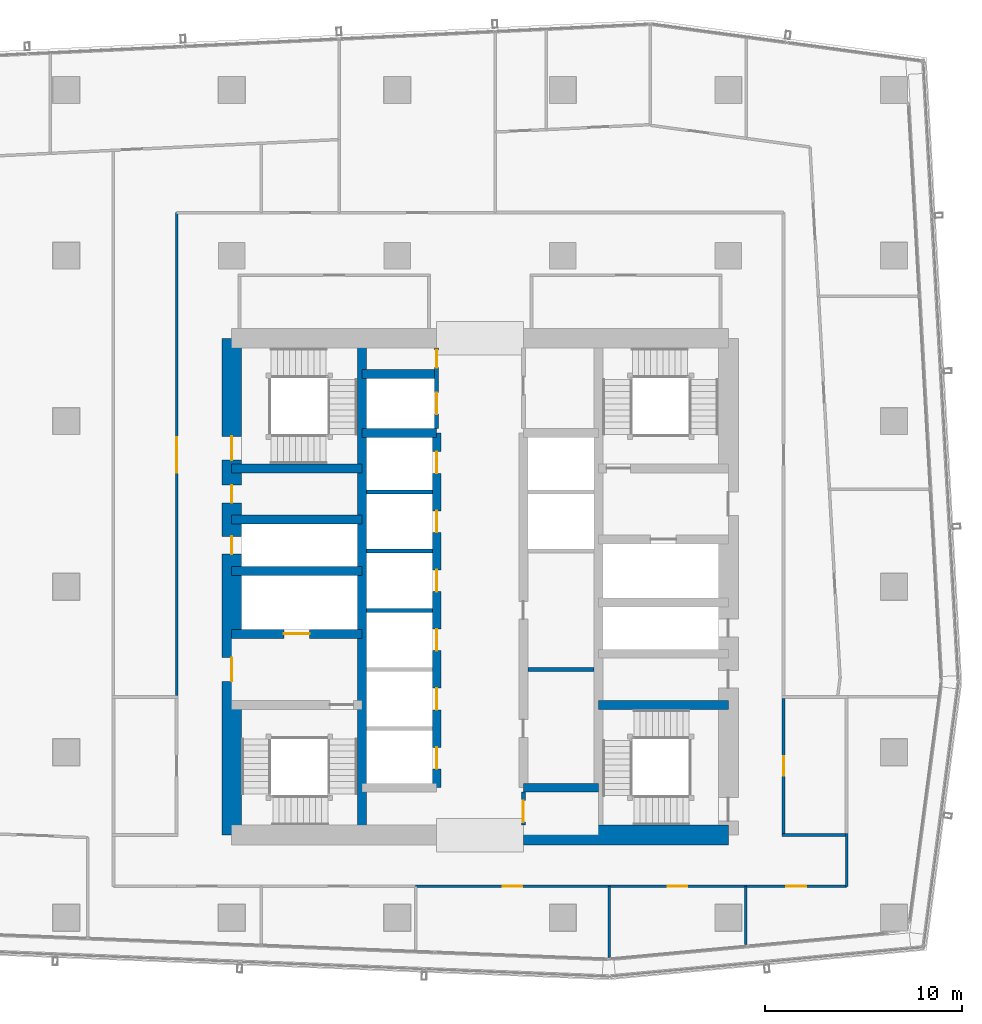
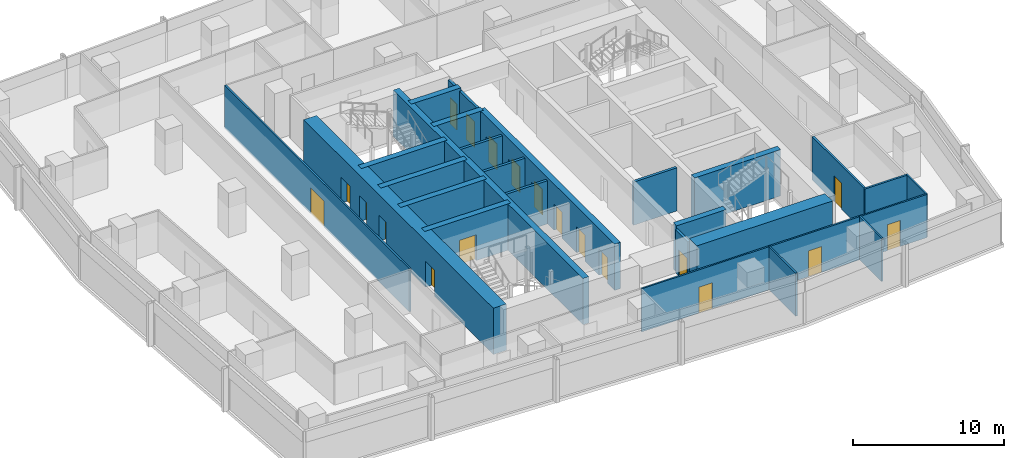
# One storey, part 28 of 38: 27 walls, 19 doors, 19 openings.
"""IFC4 building model written with IfcOpenShell, lengths in metres."""

from ifc_helpers import new_model, si_unit, direction, frame, frame_2d, origin, place, context, subcontext, project, spatial, rectangle, extrude, material, layer, layer_set, type_object, element, fill, save


model = new_model("IFC4")

# Units and contexts
model_context = context("Model", 3, precision=1e-05, world=origin(), true_north=direction((0.0, 1.0)))
body_context = subcontext(model_context, "Body", "Model", "MODEL_VIEW")
ifc_project = project(units=[si_unit("LENGTHUNIT", "METRE"), si_unit("AREAUNIT", "SQUARE_METRE"), si_unit("VOLUMEUNIT", "CUBIC_METRE"), si_unit("PLANEANGLEUNIT", "RADIAN"), si_unit("MASSUNIT", "GRAM", prefix="KILO")], contexts=[model_context])

# Site, building, storey
site_placement = place(None, origin())
site = spatial("IfcSite", under=ifc_project, at=site_placement, CompositionType="ELEMENT")
building_placement = place(site_placement, origin())
building = spatial("IfcBuilding", under=site, at=building_placement, Name="Rekha Terrace Tower", CompositionType="ELEMENT")
storey_placement = place(building_placement, frame((0.0, 0.0, 195.199951171875)))
storey = spatial("IfcBuildingStorey", under=building, at=storey_placement, Name="L49", CompositionType="ELEMENT", Elevation=195.199951171875)

# Wall
ifc_material_1 = material(Name="Concrete M60", Category="concrete")
ifc_layer_1 = layer(ifc_material_1, 0.449951171875)
ifc_layer_set_1 = layer_set([ifc_layer_1], Name="Concrete M60")
wall_type_1 = type_object("IfcWallType", Name="CI3 450 core internal shear wall", PredefinedType="SHEAR", material=ifc_layer_set_1)
wall_1_placement = place(storey_placement, frame((31.800048828125, 21.0, 0.0), z_axis=(0.0, 0.0, 1.0), x_axis=(0.0, 1.0, 0.0)))
element("IfcWall", 1, at=wall_1_placement, inside=storey, type_object=wall_type_1, Name="Core wall X318 L49", PredefinedType="SHEAR", context=body_context, shape_type="SweptSolid", body=[
    extrude(rectangle(XDim=25.199951171875, YDim=0.449951171875, at=frame_2d((12.60009765625, 0.0))), origin(), (0.0, 0.0, 1.0), 3.75),
])

# Wall, openings, doors
wall_2_placement = place(storey_placement, frame((35.60009765625, 23.39990234375, 0.0), z_axis=(0.0, 0.0, 1.0), x_axis=(0.0, 1.0, 0.0)))
wall_2 = element("IfcWall", 2, at=wall_2_placement, inside=storey, type_object=wall_type_1, Name="Core wall X356 L49", PredefinedType="SHEAR", context=body_context, shape_type="SweptSolid", body=[
    extrude(rectangle(XDim=18.0, YDim=0.449951171875, at=frame_2d((9.0, 0.0))), origin(), (0.0, 0.0, 1.0), 3.75),
])
opening_1_placement = place(wall_2_placement, frame((0.949951171875, 0.0, 0.0)))
opening_1 = element("IfcOpeningElement", 3, at=opening_1_placement, cuts=wall_2, Name="Opening LD1", PredefinedType="OPENING", context=body_context, shape_type="SweptSolid", body=[
    extrude(rectangle(XDim=1.10009765625, YDim=2.10009765625, at=frame_2d((0.550048828125, 1.050048828125))), frame((0.0, 0.23486328125, 0.0), z_axis=(0.0, -1.0, 0.0), x_axis=(1.0, 0.0, 0.0)), (0.0, 0.0, 1.0), 0.469970703125),
])
opening_2_placement = place(wall_2_placement, frame((3.949951171875, 0.0, 0.0)))
opening_2 = element("IfcOpeningElement", 4, at=opening_2_placement, cuts=wall_2, Name="Opening LD1", PredefinedType="OPENING", context=body_context, shape_type="SweptSolid", body=[
    extrude(rectangle(XDim=1.10009765625, YDim=2.10009765625, at=frame_2d((0.550048828125, 1.050048828125))), frame((0.0, 0.23486328125, 0.0), z_axis=(0.0, -1.0, 0.0), x_axis=(1.0, 0.0, 0.0)), (0.0, 0.0, 1.0), 0.469970703125),
])
opening_3_placement = place(wall_2_placement, frame((6.949951171875, 0.0, 0.0)))
opening_3 = element("IfcOpeningElement", 5, at=opening_3_placement, cuts=wall_2, Name="Opening LD1", PredefinedType="OPENING", context=body_context, shape_type="SweptSolid", body=[
    extrude(rectangle(XDim=1.10009765625, YDim=2.10009765625, at=frame_2d((0.550048828125, 1.050048828125))), frame((0.0, 0.23486328125, 0.0), z_axis=(0.0, -1.0, 0.0), x_axis=(1.0, 0.0, 0.0)), (0.0, 0.0, 1.0), 0.469970703125),
])
opening_4_placement = place(wall_2_placement, frame((9.949951171875, 0.0, 0.0)))
opening_4 = element("IfcOpeningElement", 6, at=opening_4_placement, cuts=wall_2, Name="Opening LD1", PredefinedType="OPENING", context=body_context, shape_type="SweptSolid", body=[
    extrude(rectangle(XDim=1.10009765625, YDim=2.10009765625, at=frame_2d((0.550048828125, 1.050048828125))), frame((0.0, 0.23486328125, 0.0), z_axis=(0.0, -1.0, 0.0), x_axis=(1.0, 0.0, 0.0)), (0.0, 0.0, 1.0), 0.469970703125),
])
opening_5_placement = place(wall_2_placement, frame((12.949951171875, 0.0, 0.0)))
opening_5 = element("IfcOpeningElement", 7, at=opening_5_placement, cuts=wall_2, Name="Opening LD1", PredefinedType="OPENING", context=body_context, shape_type="SweptSolid", body=[
    extrude(rectangle(XDim=1.10009765625, YDim=2.10009765625, at=frame_2d((0.550048828125, 1.050048828125))), frame((0.0, 0.23486328125, 0.0), z_axis=(0.0, -1.0, 0.0), x_axis=(1.0, 0.0, 0.0)), (0.0, 0.0, 1.0), 0.469970703125),
])
opening_6_placement = place(wall_2_placement, frame((15.949951171875, 0.0, 0.0)))
opening_6 = element("IfcOpeningElement", 8, at=opening_6_placement, cuts=wall_2, Name="Opening LD1", PredefinedType="OPENING", context=body_context, shape_type="SweptSolid", body=[
    extrude(rectangle(XDim=1.10009765625, YDim=2.10009765625, at=frame_2d((0.550048828125, 1.050048828125))), frame((0.0, 0.23486328125, 0.0), z_axis=(0.0, -1.0, 0.0), x_axis=(1.0, 0.0, 0.0)), (0.0, 0.0, 1.0), 0.469970703125),
])
ifc_material_2 = material(Name="Stainless steel sliding landing door", Category="steel")
door_type_1 = type_object("IfcDoorType", Name="LD1 1100x2100 lift landing door", OperationType="SLIDING_TO_LEFT", PredefinedType="USERDEFINED", material=ifc_material_2)
door_1_placement = place(opening_1_placement, origin())
door_1 = element("IfcDoor", 9, at=door_1_placement, inside=storey, type_object=door_type_1, Name="Lift C1 landing door L49", ObjectType="LIFT LANDING DOOR", OperationType="SLIDING_TO_LEFT", OverallHeight=2.10009765625, OverallWidth=1.10009765625, PredefinedType="USERDEFINED", context=body_context, shape_type="SweptSolid", body=[
    extrude(rectangle(XDim=1.10009765625, YDim=2.10009765625, at=frame_2d((0.550048828125, 1.050048828125))), frame((0.0, 0.02490234375, 0.0), z_axis=(0.0, -1.0, 0.0), x_axis=(1.0, 0.0, 0.0)), (0.0, 0.0, 1.0), 0.050048828125),
])
fill(opening_1, door_1)
door_2_placement = place(opening_2_placement, origin())
door_2 = element("IfcDoor", 10, at=door_2_placement, inside=storey, type_object=door_type_1, Name="Lift C2 landing door L49", ObjectType="LIFT LANDING DOOR", OperationType="SLIDING_TO_LEFT", OverallHeight=2.10009765625, OverallWidth=1.10009765625, PredefinedType="USERDEFINED", context=body_context, shape_type="SweptSolid", body=[
    extrude(rectangle(XDim=1.10009765625, YDim=2.10009765625, at=frame_2d((0.550048828125, 1.050048828125))), frame((0.0, 0.02490234375, 0.0), z_axis=(0.0, -1.0, 0.0), x_axis=(1.0, 0.0, 0.0)), (0.0, 0.0, 1.0), 0.050048828125),
])
fill(opening_2, door_2)
door_3_placement = place(opening_3_placement, origin())
door_3 = element("IfcDoor", 11, at=door_3_placement, inside=storey, type_object=door_type_1, Name="Lift C3 landing door L49", ObjectType="LIFT LANDING DOOR", OperationType="SLIDING_TO_LEFT", OverallHeight=2.10009765625, OverallWidth=1.10009765625, PredefinedType="USERDEFINED", context=body_context, shape_type="SweptSolid", body=[
    extrude(rectangle(XDim=1.10009765625, YDim=2.10009765625, at=frame_2d((0.550048828125, 1.050048828125))), frame((0.0, 0.02490234375, 0.0), z_axis=(0.0, -1.0, 0.0), x_axis=(1.0, 0.0, 0.0)), (0.0, 0.0, 1.0), 0.050048828125),
])
fill(opening_3, door_3)
door_4_placement = place(opening_4_placement, origin())
door_4 = element("IfcDoor", 12, at=door_4_placement, inside=storey, type_object=door_type_1, Name="Lift C4 landing door L49", ObjectType="LIFT LANDING DOOR", OperationType="SLIDING_TO_LEFT", OverallHeight=2.10009765625, OverallWidth=1.10009765625, PredefinedType="USERDEFINED", context=body_context, shape_type="SweptSolid", body=[
    extrude(rectangle(XDim=1.10009765625, YDim=2.10009765625, at=frame_2d((0.550048828125, 1.050048828125))), frame((0.0, 0.02490234375, 0.0), z_axis=(0.0, -1.0, 0.0), x_axis=(1.0, 0.0, 0.0)), (0.0, 0.0, 1.0), 0.050048828125),
])
fill(opening_4, door_4)
door_5_placement = place(opening_5_placement, origin())
door_5 = element("IfcDoor", 13, at=door_5_placement, inside=storey, type_object=door_type_1, Name="Lift C5 landing door L49", ObjectType="LIFT LANDING DOOR", OperationType="SLIDING_TO_LEFT", OverallHeight=2.10009765625, OverallWidth=1.10009765625, PredefinedType="USERDEFINED", context=body_context, shape_type="SweptSolid", body=[
    extrude(rectangle(XDim=1.10009765625, YDim=2.10009765625, at=frame_2d((0.550048828125, 1.050048828125))), frame((0.0, 0.02490234375, 0.0), z_axis=(0.0, -1.0, 0.0), x_axis=(1.0, 0.0, 0.0)), (0.0, 0.0, 1.0), 0.050048828125),
])
fill(opening_5, door_5)
door_6_placement = place(opening_6_placement, origin())
door_6 = element("IfcDoor", 14, at=door_6_placement, inside=storey, type_object=door_type_1, Name="Lift C6 landing door L49", ObjectType="LIFT LANDING DOOR", OperationType="SLIDING_TO_LEFT", OverallHeight=2.10009765625, OverallWidth=1.10009765625, PredefinedType="USERDEFINED", context=body_context, shape_type="SweptSolid", body=[
    extrude(rectangle(XDim=1.10009765625, YDim=2.10009765625, at=frame_2d((0.550048828125, 1.050048828125))), frame((0.0, 0.02490234375, 0.0), z_axis=(0.0, -1.0, 0.0), x_axis=(1.0, 0.0, 0.0)), (0.0, 0.0, 1.0), 0.050048828125),
])
fill(opening_6, door_6)

# Walls
for number, where, z_axis, x_axis, name in (
    (15, (31.800048828125, 41.39990234375, 0.0), (0.0, 0.0, 1.0), (1.0, 0.0, 0.0), "Core wall Y414W L49"),
    (16, (31.800048828125, 44.39990234375, 0.0), (0.0, 0.0, 1.0), (1.0, 0.0, 0.0), "Core wall Y444W L49"),
    (17, (40.0, 23.39990234375, 0.0), (0.0, 0.0, 1.0), (1.0, 0.0, 0.0), "Core wall Y234E L49"),
):
    element("IfcWall", number, at=place(storey_placement, frame(where, z_axis=z_axis, x_axis=x_axis)), inside=storey, type_object=wall_type_1, Name=name, PredefinedType="SHEAR", context=body_context, shape_type="SweptSolid", body=[
        extrude(rectangle(XDim=3.800048828125, YDim=0.449951171875, at=frame_2d((1.89990234375, 0.0))), origin(), (0.0, 0.0, 1.0), 3.75),
    ])

# Wall, opening, door
wall_3_placement = place(storey_placement, frame((25.199951171875, 31.199951171875, 0.0), z_axis=(0.0, 0.0, 1.0), x_axis=(1.0, 0.0, 0.0)))
wall_3 = element("IfcWall", 18, at=wall_3_placement, inside=storey, type_object=wall_type_1, Name="Core wall Y312W L49", PredefinedType="SHEAR", context=body_context, shape_type="SweptSolid", body=[
    extrude(rectangle(XDim=6.60009765625, YDim=0.449951171875, at=frame_2d((3.300048828125, 0.0))), origin(), (0.0, 0.0, 1.0), 3.75),
])
opening_7_placement = place(wall_3_placement, frame((2.64990234375, 0.0, 0.0)))
opening_7 = element("IfcOpeningElement", 19, at=opening_7_placement, cuts=wall_3, Name="Opening LD2", PredefinedType="OPENING", context=body_context, shape_type="SweptSolid", body=[
    extrude(rectangle(XDim=1.300048828125, YDim=2.10009765625, at=frame_2d((0.64990234375, 1.050048828125))), frame((0.0, 0.23486328125, 0.0), z_axis=(0.0, -1.0, 0.0), x_axis=(1.0, 0.0, 0.0)), (0.0, 0.0, 1.0), 0.469970703125),
])
door_type_2 = type_object("IfcDoorType", Name="LD2 1300x2100 fire lift landing door", OperationType="SLIDING_TO_LEFT", PredefinedType="USERDEFINED", material=ifc_material_2)
door_7_placement = place(opening_7_placement, origin())
door_7 = element("IfcDoor", 20, at=door_7_placement, inside=storey, type_object=door_type_2, Name="Lift FL1 landing door L49", ObjectType="LIFT LANDING DOOR", OperationType="SLIDING_TO_LEFT", OverallHeight=2.10009765625, OverallWidth=1.300048828125, PredefinedType="USERDEFINED", context=body_context, shape_type="SweptSolid", body=[
    extrude(rectangle(XDim=1.300048828125, YDim=2.10009765625, at=frame_2d((0.64990234375, 1.050048828125))), frame((0.0, 0.02490234375, 0.0), z_axis=(0.0, -1.0, 0.0), x_axis=(1.0, 0.0, 0.0)), (0.0, 0.0, 1.0), 0.050048828125),
])
fill(opening_7, door_7)

# Walls
for number, where, z_axis, x_axis, name in (
    (21, (25.199951171875, 34.39990234375, 0.0), (0.0, 0.0, 1.0), (1.0, 0.0, 0.0), "Core wall Y344W L49"),
    (22, (25.199951171875, 37.0, 0.0), (0.0, 0.0, 1.0), (1.0, 0.0, 0.0), "Core wall Y370W L49"),
    (23, (25.199951171875, 39.60009765625, 0.0), (0.0, 0.0, 1.0), (1.0, 0.0, 0.0), "Core wall Y396W L49"),
):
    element("IfcWall", number, at=place(storey_placement, frame(where, z_axis=z_axis, x_axis=x_axis)), inside=storey, type_object=wall_type_1, Name=name, PredefinedType="SHEAR", context=body_context, shape_type="SweptSolid", body=[
        extrude(rectangle(XDim=6.60009765625, YDim=0.449951171875, at=frame_2d((3.300048828125, 0.0))), origin(), (0.0, 0.0, 1.0), 3.75),
    ])
wall_4_placement = place(storey_placement, frame((43.800048828125, 27.60009765625, 0.0), z_axis=(0.0, 0.0, 1.0), x_axis=(1.0, 0.0, 0.0)))
element("IfcWall", 24, at=wall_4_placement, inside=storey, type_object=wall_type_1, Name="Core wall Y276E L49", PredefinedType="SHEAR", context=body_context, shape_type="SweptSolid", body=[
    extrude(rectangle(XDim=6.599853515625, YDim=0.449951171875, at=frame_2d((3.2998046875, 0.0))), origin(), (0.0, 0.0, 1.0), 3.75),
])
ifc_layer_2 = layer(ifc_material_1, 1.0)
ifc_layer_set_2 = layer_set([ifc_layer_2], Name="Concrete M60")
wall_type_2 = type_object("IfcWallType", Name="SW3 1000 core outer shear wall", PredefinedType="SHEAR", material=ifc_layer_set_2)
wall_5_placement = place(storey_placement, frame((40.0, 21.0, 0.0), z_axis=(0.0, 0.0, 1.0), x_axis=(1.0, 0.0, 0.0)))
element("IfcWall", 25, at=wall_5_placement, inside=storey, type_object=wall_type_2, Name="Core wall S2 L49", PredefinedType="SHEAR", context=body_context, shape_type="SweptSolid", body=[
    extrude(rectangle(XDim=10.39990234375, YDim=1.0, at=frame_2d((5.199951171875, 0.0))), origin(), (0.0, 0.0, 1.0), 3.75),
])

# Wall, openings, doors
wall_6_placement = place(storey_placement, frame((25.199951171875, 21.0, 0.0), z_axis=(0.0, 0.0, 1.0), x_axis=(0.0, 1.0, 0.0)))
wall_6 = element("IfcWall", 26, at=wall_6_placement, inside=storey, type_object=wall_type_2, Name="Core wall W L49", PredefinedType="SHEAR", context=body_context, shape_type="SweptSolid", body=[
    extrude(rectangle(XDim=25.199951171875, YDim=1.0, at=frame_2d((12.60009765625, 0.0))), origin(), (0.0, 0.0, 1.0), 3.75),
])
opening_8_placement = place(wall_6_placement, frame((7.800048828125, 0.0, 0.0)))
opening_8 = element("IfcOpeningElement", 27, at=opening_8_placement, cuts=wall_6, Name="Opening D2", PredefinedType="OPENING", context=body_context, shape_type="SweptSolid", body=[
    extrude(rectangle(XDim=1.199951171875, YDim=2.10009765625, at=frame_2d((0.60009765625, 1.050048828125))), frame((0.0, 0.510009765625, 0.0), z_axis=(0.0, -1.0, 0.0), x_axis=(1.0, 0.0, 0.0)), (0.0, 0.0, 1.0), 1.02001953125),
])
opening_9_placement = place(wall_6_placement, frame((14.25, 0.0, 0.0)))
opening_9 = element("IfcOpeningElement", 28, at=opening_9_placement, cuts=wall_6, Name="Opening D5", PredefinedType="OPENING", context=body_context, shape_type="SweptSolid", body=[
    extrude(rectangle(XDim=0.89990234375, YDim=2.10009765625, at=frame_2d((0.449951171875, 1.050048828125))), frame((0.0, 0.510009765625, 0.0), z_axis=(0.0, -1.0, 0.0), x_axis=(1.0, 0.0, 0.0)), (0.0, 0.0, 1.0), 1.02001953125),
])
opening_10_placement = place(wall_6_placement, frame((16.85009765625, 0.0, 0.0)))
opening_10 = element("IfcOpeningElement", 29, at=opening_10_placement, cuts=wall_6, Name="Opening D5", PredefinedType="OPENING", context=body_context, shape_type="SweptSolid", body=[
    extrude(rectangle(XDim=0.89990234375, YDim=2.10009765625, at=frame_2d((0.449951171875, 1.050048828125))), frame((0.0, 0.510009765625, 0.0), z_axis=(0.0, -1.0, 0.0), x_axis=(1.0, 0.0, 0.0)), (0.0, 0.0, 1.0), 1.02001953125),
])
opening_11_placement = place(wall_6_placement, frame((19.02490234375, 0.0, 0.0)))
opening_11 = element("IfcOpeningElement", 30, at=opening_11_placement, cuts=wall_6, Name="Opening D1", PredefinedType="OPENING", context=body_context, shape_type="SweptSolid", body=[
    extrude(rectangle(XDim=1.199951171875, YDim=2.10009765625, at=frame_2d((0.60009765625, 1.050048828125))), frame((0.0, 0.510009765625, 0.0), z_axis=(0.0, -1.0, 0.0), x_axis=(1.0, 0.0, 0.0)), (0.0, 0.0, 1.0), 1.02001953125),
])
ifc_material_3 = material(Name="Steel fire door", Category="steel")
door_type_3 = type_object("IfcDoorType", Name="D1 1200x2100 stair fire door", OperationType="SINGLE_SWING_RIGHT", PredefinedType="DOOR", material=ifc_material_3)
door_8_placement = place(opening_11_placement, origin())
door_8 = element("IfcDoor", 31, at=door_8_placement, inside=storey, type_object=door_type_3, Name="Stair ST4 door L49", OperationType="SINGLE_SWING_RIGHT", OverallHeight=2.10009765625, OverallWidth=1.199951171875, PredefinedType="DOOR", context=body_context, shape_type="SweptSolid", body=[
    extrude(rectangle(XDim=1.199951171875, YDim=2.10009765625, at=frame_2d((0.60009765625, 1.050048828125))), frame((0.0, 0.02490234375, 0.0), z_axis=(0.0, -1.0, 0.0), x_axis=(1.0, 0.0, 0.0)), (0.0, 0.0, 1.0), 0.050048828125),
])
fill(opening_11, door_8)
door_type_4 = type_object("IfcDoorType", Name="D2 1200x2100 firefighting lobby door", OperationType="SINGLE_SWING_LEFT", PredefinedType="DOOR", material=ifc_material_3)
door_9_placement = place(opening_8_placement, origin())
door_9 = element("IfcDoor", 32, at=door_9_placement, inside=storey, type_object=door_type_4, Name="Door flb1 L49", OperationType="SINGLE_SWING_LEFT", OverallHeight=2.10009765625, OverallWidth=1.199951171875, PredefinedType="DOOR", context=body_context, shape_type="SweptSolid", body=[
    extrude(rectangle(XDim=1.199951171875, YDim=2.10009765625, at=frame_2d((0.60009765625, 1.050048828125))), frame((0.0, 0.02490234375, 0.0), z_axis=(0.0, -1.0, 0.0), x_axis=(1.0, 0.0, 0.0)), (0.0, 0.0, 1.0), 0.050048828125),
])
fill(opening_8, door_9)
door_type_5 = type_object("IfcDoorType", Name="D5 900x2100 riser access door", OperationType="SINGLE_SWING_LEFT", PredefinedType="DOOR", material=ifc_material_3)
door_10_placement = place(opening_9_placement, origin())
door_10 = element("IfcDoor", 33, at=door_10_placement, inside=storey, type_object=door_type_5, Name="Door rs1 L49", OperationType="SINGLE_SWING_LEFT", OverallHeight=2.10009765625, OverallWidth=0.89990234375, PredefinedType="DOOR", context=body_context, shape_type="SweptSolid", body=[
    extrude(rectangle(XDim=0.89990234375, YDim=2.10009765625, at=frame_2d((0.449951171875, 1.050048828125))), frame((0.0, 0.02490234375, 0.0), z_axis=(0.0, -1.0, 0.0), x_axis=(1.0, 0.0, 0.0)), (0.0, 0.0, 1.0), 0.050048828125),
])
fill(opening_9, door_10)
door_11_placement = place(opening_10_placement, origin())
door_11 = element("IfcDoor", 34, at=door_11_placement, inside=storey, type_object=door_type_5, Name="Door elw L49", OperationType="SINGLE_SWING_LEFT", OverallHeight=2.10009765625, OverallWidth=0.89990234375, PredefinedType="DOOR", context=body_context, shape_type="SweptSolid", body=[
    extrude(rectangle(XDim=0.89990234375, YDim=2.10009765625, at=frame_2d((0.449951171875, 1.050048828125))), frame((0.0, 0.02490234375, 0.0), z_axis=(0.0, -1.0, 0.0), x_axis=(1.0, 0.0, 0.0)), (0.0, 0.0, 1.0), 0.050048828125),
])
fill(opening_10, door_11)

# Wall
ifc_material_4 = material(Name="Concrete block masonry, 1 hour", Category="masonry")
ifc_layer_3 = layer(ifc_material_4, 0.14990234375)
ifc_layer_set_3 = layer_set([ifc_layer_3], Name="Concrete block masonry, 1 hour")
wall_type_3 = type_object("IfcWallType", Name="WP2 150 tenancy partition", PredefinedType="PARTITIONING", material=ifc_layer_set_3)
wall_7_placement = place(storey_placement, frame((53.125, 21.0, 0.0), z_axis=(0.0, 0.0, 1.0), x_axis=(1.0, 0.0, 0.0)))
element("IfcWall", 35, at=wall_7_placement, inside=storey, type_object=wall_type_3, Name="Men's WC wall L49", PredefinedType="PARTITIONING", context=body_context, shape_type="SweptSolid", body=[
    extrude(rectangle(XDim=3.35009765625, YDim=0.14990234375, at=frame_2d((1.675048828125, 0.0))), origin(), (0.0, 0.0, 1.0), 3.5),
])

# Wall, opening, door
wall_8_placement = place(storey_placement, frame((53.199951171875, 21.074951171875, 0.0), z_axis=(0.0, 0.0, 1.0), x_axis=(0.0, 1.0, 0.0)))
wall_8 = element("IfcWall", 36, at=wall_8_placement, inside=storey, type_object=wall_type_3, Name="Men's WC wall L49", PredefinedType="PARTITIONING", context=body_context, shape_type="SweptSolid", body=[
    extrude(rectangle(XDim=6.85009765625, YDim=0.14990234375, at=frame_2d((3.425048828125, 0.0))), origin(), (0.0, 0.0, 1.0), 3.5),
])
opening_12_placement = place(wall_8_placement, frame((2.925048828125, 0.0, 0.0)))
opening_12 = element("IfcOpeningElement", 37, at=opening_12_placement, cuts=wall_8, Name="Opening D3", PredefinedType="OPENING", context=body_context, shape_type="SweptSolid", body=[
    extrude(rectangle(XDim=1.0, YDim=2.10009765625, at=frame_2d((0.5, 1.050048828125))), frame((0.0, 0.0849609375, 0.0), z_axis=(0.0, -1.0, 0.0), x_axis=(1.0, 0.0, 0.0)), (0.0, 0.0, 1.0), 0.169921875),
])
ifc_material_5 = material(Name="Laminated timber fire door", Category="wood")
door_type_6 = type_object("IfcDoorType", Name="D3 1000x2100 WC door", OperationType="SINGLE_SWING_LEFT", PredefinedType="DOOR", material=ifc_material_5)
door_12_placement = place(opening_12_placement, origin())
door_12 = element("IfcDoor", 38, at=door_12_placement, inside=storey, type_object=door_type_6, Name="Door men's wc L49", OperationType="SINGLE_SWING_LEFT", OverallHeight=2.10009765625, OverallWidth=1.0, PredefinedType="DOOR", context=body_context, shape_type="SweptSolid", body=[
    extrude(rectangle(XDim=1.0, YDim=2.10009765625, at=frame_2d((0.5, 1.050048828125))), frame((0.0, 0.02490234375, 0.0), z_axis=(0.0, -1.0, 0.0), x_axis=(1.0, 0.0, 0.0)), (0.0, 0.0, 1.0), 0.050048828125),
])
fill(opening_12, door_12)

ifc_material_6 = material(Name="Two layers of fire-rated gypsum board each side on steel studs, acoustic quilt, 1 hour", Category="steel")
ifc_layer_4 = layer(ifc_material_6, 0.125)
ifc_layer_set_4 = layer_set([ifc_layer_4], Name="Two layers of fire-rated gypsum board each side on steel studs, acoustic quilt, 1 hour")
wall_type_4 = type_object("IfcWallType", Name="WP3 125 office partition", PredefinedType="PARTITIONING", material=ifc_layer_set_4)
wall_9_placement = place(storey_placement, frame((34.531005859375, 18.39990234375, 0.0), z_axis=(0.0, 0.0, 1.0), x_axis=(1.0, 0.0, 0.0)))
wall_9 = element("IfcWall", 39, at=wall_9_placement, inside=storey, type_object=wall_type_4, Name="Partition L49-02", PredefinedType="PARTITIONING", context=body_context, shape_type="SweptSolid", body=[
    extrude(rectangle(XDim=9.81298828125, YDim=0.125, at=frame_2d((4.906494140625, 0.0))), origin(), (0.0, 0.0, 1.0), 3.5),
])
opening_13_placement = place(wall_9_placement, frame((4.406982421875, 0.0, 0.0)))
opening_13 = element("IfcOpeningElement", 40, at=opening_13_placement, cuts=wall_9, Name="Opening D9", PredefinedType="OPENING", context=body_context, shape_type="SweptSolid", body=[
    extrude(rectangle(XDim=1.0, YDim=2.10009765625, at=frame_2d((0.5, 1.050048828125))), frame((0.0, 0.072509765625, 0.0), z_axis=(0.0, -1.0, 0.0), x_axis=(1.0, 0.0, 0.0)), (0.0, 0.0, 1.0), 0.14501953125),
])
ifc_material_7 = material(Name="Timber fire door", Category="wood")
door_type_7 = type_object("IfcDoorType", Name="D9 1000x2100 office door", OperationType="SINGLE_SWING_LEFT", PredefinedType="DOOR", material=ifc_material_7)
door_13_placement = place(opening_13_placement, origin())
door_13 = element("IfcDoor", 41, at=door_13_placement, inside=storey, type_object=door_type_7, Name="Door breakout lounge L49", OperationType="SINGLE_SWING_LEFT", OverallHeight=2.10009765625, OverallWidth=1.0, PredefinedType="DOOR", context=body_context, shape_type="SweptSolid", body=[
    extrude(rectangle(XDim=1.0, YDim=2.10009765625, at=frame_2d((0.5, 1.050048828125))), frame((0.0, 0.02490234375, 0.0), z_axis=(0.0, -1.0, 0.0), x_axis=(1.0, 0.0, 0.0)), (0.0, 0.0, 1.0), 0.050048828125),
])
fill(opening_13, door_13)

# Wall
wall_10_placement = place(storey_placement, frame((44.343994140625, 18.39990234375, 0.0), z_axis=(0.0, 0.0, 1.0), x_axis=(0.0, -1.0, 0.0)))
element("IfcWall", 42, at=wall_10_placement, inside=storey, type_object=wall_type_4, Name="Partition L49-02", PredefinedType="PARTITIONING", context=body_context, shape_type="SweptSolid", body=[
    extrude(rectangle(XDim=3.60498046875, YDim=0.125, at=frame_2d((1.802490234375, 0.0))), origin(), (0.0, 0.0, 1.0), 3.5),
])

# Wall, opening, door
wall_11_placement = place(storey_placement, frame((44.344970703125, 18.39990234375, 0.0), z_axis=(0.0, 0.0, 1.0), x_axis=(1.0, 0.0, 0.0)))
wall_11 = element("IfcWall", 43, at=wall_11_placement, inside=storey, type_object=wall_type_4, Name="Partition L49-03", PredefinedType="PARTITIONING", context=body_context, shape_type="SweptSolid", body=[
    extrude(rectangle(XDim=6.945068359375, YDim=0.125, at=frame_2d((3.47265625, 0.0))), origin(), (0.0, 0.0, 1.0), 3.5),
])
opening_14_placement = place(wall_11_placement, frame((2.971923828125, 0.0, 0.0)))
opening_14 = element("IfcOpeningElement", 44, at=opening_14_placement, cuts=wall_11, Name="Opening D9", PredefinedType="OPENING", context=body_context, shape_type="SweptSolid", body=[
    extrude(rectangle(XDim=1.0, YDim=2.10009765625, at=frame_2d((0.5, 1.050048828125))), frame((0.0, 0.072509765625, 0.0), z_axis=(0.0, -1.0, 0.0), x_axis=(1.0, 0.0, 0.0)), (0.0, 0.0, 1.0), 0.14501953125),
])
door_14_placement = place(opening_14_placement, origin())
door_14 = element("IfcDoor", 45, at=door_14_placement, inside=storey, type_object=door_type_7, Name="Door meeting room L49", OperationType="SINGLE_SWING_LEFT", OverallHeight=2.10009765625, OverallWidth=1.0, PredefinedType="DOOR", context=body_context, shape_type="SweptSolid", body=[
    extrude(rectangle(XDim=1.0, YDim=2.10009765625, at=frame_2d((0.5, 1.050048828125))), frame((0.0, 0.02490234375, 0.0), z_axis=(0.0, -1.0, 0.0), x_axis=(1.0, 0.0, 0.0)), (0.0, 0.0, 1.0), 0.050048828125),
])
fill(opening_14, door_14)

# Wall
wall_12_placement = place(storey_placement, frame((51.2900390625, 18.39990234375, 0.0), z_axis=(0.0, 0.0, 1.0), x_axis=(0.0, -1.0, 0.0)))
element("IfcWall", 46, at=wall_12_placement, inside=storey, type_object=wall_type_4, Name="Partition L49-03", PredefinedType="PARTITIONING", context=body_context, shape_type="SweptSolid", body=[
    extrude(rectangle(XDim=2.9580078125, YDim=0.125, at=frame_2d((1.47900390625, 0.0))), origin(), (0.0, 0.0, 1.0), 3.5),
])

# Wall, opening, door
wall_13_placement = place(storey_placement, frame((51.291015625, 18.39990234375, 0.0), z_axis=(0.0, 0.0, 1.0), x_axis=(1.0, 0.0, 0.0)))
wall_13 = element("IfcWall", 47, at=wall_13_placement, inside=storey, type_object=wall_type_4, Name="Partition L49-04", PredefinedType="PARTITIONING", context=body_context, shape_type="SweptSolid", body=[
    extrude(rectangle(XDim=5.10888671875, YDim=0.125, at=frame_2d((2.554443359375, 0.0))), origin(), (0.0, 0.0, 1.0), 3.5),
])
opening_15_placement = place(wall_13_placement, frame((2.054931640625, 0.0, 0.0)))
opening_15 = element("IfcOpeningElement", 48, at=opening_15_placement, cuts=wall_13, Name="Opening D9", PredefinedType="OPENING", context=body_context, shape_type="SweptSolid", body=[
    extrude(rectangle(XDim=1.0, YDim=2.10009765625, at=frame_2d((0.5, 1.050048828125))), frame((0.0, 0.072509765625, 0.0), z_axis=(0.0, -1.0, 0.0), x_axis=(1.0, 0.0, 0.0)), (0.0, 0.0, 1.0), 0.14501953125),
])
door_15_placement = place(opening_15_placement, origin())
door_15 = element("IfcDoor", 49, at=door_15_placement, inside=storey, type_object=door_type_7, Name="Door director's office L49", OperationType="SINGLE_SWING_LEFT", OverallHeight=2.10009765625, OverallWidth=1.0, PredefinedType="DOOR", context=body_context, shape_type="SweptSolid", body=[
    extrude(rectangle(XDim=1.0, YDim=2.10009765625, at=frame_2d((0.5, 1.050048828125))), frame((0.0, 0.02490234375, 0.0), z_axis=(0.0, -1.0, 0.0), x_axis=(1.0, 0.0, 0.0)), (0.0, 0.0, 1.0), 0.050048828125),
])
fill(opening_15, door_15)

# Wall
wall_14_placement = place(storey_placement, frame((56.39990234375, 18.39990234375, 0.0), z_axis=(0.0, 0.0, 1.0), x_axis=(0.0, 1.0, 0.0)))
element("IfcWall", 50, at=wall_14_placement, inside=storey, type_object=wall_type_4, Name="Partition L49-04", PredefinedType="PARTITIONING", context=body_context, shape_type="SweptSolid", body=[
    extrude(rectangle(XDim=2.675048828125, YDim=0.125, at=frame_2d((1.33740234375, 0.0))), origin(), (0.0, 0.0, 1.0), 3.5),
])

# Wall, opening, door
wall_15_placement = place(storey_placement, frame((22.39990234375, 52.574951171875, 0.0), z_axis=(0.0, 0.0, 1.0), x_axis=(0.0, -1.0, 0.0)))
wall_15 = element("IfcWall", 51, at=wall_15_placement, inside=storey, type_object=wall_type_4, Name="Partition L49-18", PredefinedType="PARTITIONING", context=body_context, shape_type="SweptSolid", body=[
    extrude(rectangle(XDim=24.5, YDim=0.125, at=frame_2d((12.25, 0.0))), origin(), (0.0, 0.0, 1.0), 3.5),
])
opening_16_placement = place(wall_15_placement, frame((11.387939453125, 0.0, 0.0)))
opening_16 = element("IfcOpeningElement", 52, at=opening_16_placement, cuts=wall_15, Name="Opening D8", PredefinedType="OPENING", context=body_context, shape_type="SweptSolid", body=[
    extrude(rectangle(XDim=1.800048828125, YDim=2.10009765625, at=frame_2d((0.89990234375, 1.050048828125))), frame((0.0, 0.072509765625, 0.0), z_axis=(0.0, -1.0, 0.0), x_axis=(1.0, 0.0, 0.0)), (0.0, 0.0, 1.0), 0.14501953125),
])
door_type_8 = type_object("IfcDoorType", Name="D8 1800x2100 double leaf door", OperationType="DOUBLE_DOOR_SINGLE_SWING", PredefinedType="DOOR", material=ifc_material_7)
door_16_placement = place(opening_16_placement, origin())
door_16 = element("IfcDoor", 53, at=door_16_placement, inside=storey, type_object=door_type_8, Name="Door reception L49", OperationType="DOUBLE_DOOR_SINGLE_SWING", OverallHeight=2.10009765625, OverallWidth=1.800048828125, PredefinedType="DOOR", context=body_context, shape_type="SweptSolid", body=[
    extrude(rectangle(XDim=1.800048828125, YDim=2.10009765625, at=frame_2d((0.89990234375, 1.050048828125))), frame((0.0, 0.02490234375, 0.0), z_axis=(0.0, -1.0, 0.0), x_axis=(1.0, 0.0, 0.0)), (0.0, 0.0, 1.0), 0.050048828125),
])
fill(opening_16, door_16)

# Walls
ifc_material_8 = material(Name="Solid concrete block masonry, 2 hour", Category="masonry")
ifc_layer_5 = layer(ifc_material_8, 0.199951171875)
ifc_layer_set_5 = layer_set([ifc_layer_5], Name="Solid concrete block masonry, 2 hour")
wall_type_5 = type_object("IfcWallType", Name="WS1 200 stair and shaft enclosure", PredefinedType="PARTITIONING", material=ifc_layer_set_5)
for number, where, z_axis, x_axis, name in (
    (54, (32.02490234375, 32.39990234375, 0.0), (0.0, 0.0, 1.0), (1.0, 0.0, 0.0), "Lift shaft divider L49"),
    (55, (32.02490234375, 35.39990234375, 0.0), (0.0, 0.0, 1.0), (1.0, 0.0, 0.0), "Lift shaft divider L49"),
    (56, (32.02490234375, 38.39990234375, 0.0), (0.0, 0.0, 1.0), (1.0, 0.0, 0.0), "Lift shaft divider L49"),
):
    element("IfcWall", number, at=place(storey_placement, frame(where, z_axis=z_axis, x_axis=x_axis)), inside=storey, type_object=wall_type_5, Name=name, PredefinedType="PARTITIONING", context=body_context, shape_type="SweptSolid", body=[
        extrude(rectangle(XDim=3.35009765625, YDim=0.199951171875, at=frame_2d((1.675048828125, 0.0))), origin(), (0.0, 0.0, 1.0), 3.5),
    ])
wall_16_placement = place(storey_placement, frame((40.22509765625, 29.39990234375, 0.0), z_axis=(0.0, 0.0, 1.0), x_axis=(1.0, 0.0, 0.0)))
element("IfcWall", 57, at=wall_16_placement, inside=storey, type_object=wall_type_5, Name="Lift shaft divider L49", PredefinedType="PARTITIONING", context=body_context, shape_type="SweptSolid", body=[
    extrude(rectangle(XDim=3.349853515625, YDim=0.199951171875, at=frame_2d((1.6748046875, 0.0))), origin(), (0.0, 0.0, 1.0), 3.5),
])

# Wall, opening, door
wall_17_placement = place(storey_placement, frame((40.0, 21.5, 0.0), z_axis=(0.0, 0.0, 1.0), x_axis=(0.0, 1.0, 0.0)))
wall_17 = element("IfcWall", 58, at=wall_17_placement, inside=storey, type_object=wall_type_5, Name="Core partition wca L49", PredefinedType="PARTITIONING", context=body_context, shape_type="SweptSolid", body=[
    extrude(rectangle(XDim=1.675048828125, YDim=0.199951171875, at=frame_2d((0.83740234375, 0.0))), origin(), (0.0, 0.0, 1.0), 3.5),
])
opening_17_placement = place(wall_17_placement, frame((0.14990234375, 0.0, 0.0)))
opening_17 = element("IfcOpeningElement", 59, at=opening_17_placement, cuts=wall_17, Name="Opening D4", PredefinedType="OPENING", context=body_context, shape_type="SweptSolid", body=[
    extrude(rectangle(XDim=1.10009765625, YDim=2.10009765625, at=frame_2d((0.550048828125, 1.050048828125))), frame((0.0, 0.10986328125, 0.0), z_axis=(0.0, -1.0, 0.0), x_axis=(1.0, 0.0, 0.0)), (0.0, 0.0, 1.0), 0.219970703125),
])
door_type_9 = type_object("IfcDoorType", Name="D4 1100x2100 accessible WC door", OperationType="SLIDING_TO_LEFT", PredefinedType="DOOR", material=ifc_material_5)
door_17_placement = place(opening_17_placement, origin())
door_17 = element("IfcDoor", 60, at=door_17_placement, inside=storey, type_object=door_type_9, Name="Door wca L49", OperationType="SLIDING_TO_LEFT", OverallHeight=2.10009765625, OverallWidth=1.10009765625, PredefinedType="DOOR", context=body_context, shape_type="SweptSolid", body=[
    extrude(rectangle(XDim=1.10009765625, YDim=2.10009765625, at=frame_2d((0.550048828125, 1.050048828125))), frame((0.0, 0.02490234375, 0.0), z_axis=(0.0, -1.0, 0.0), x_axis=(1.0, 0.0, 0.0)), (0.0, 0.0, 1.0), 0.050048828125),
])
fill(opening_17, door_17)

# Wall, openings, doors
wall_18_placement = place(storey_placement, frame((35.60009765625, 41.625, 0.0), z_axis=(0.0, 0.0, 1.0), x_axis=(0.0, 1.0, 0.0)))
wall_18 = element("IfcWall", 61, at=wall_18_placement, inside=storey, type_object=wall_type_5, Name="Core partition jansv L49", PredefinedType="PARTITIONING", context=body_context, shape_type="SweptSolid", body=[
    extrude(rectangle(XDim=4.074951171875, YDim=0.199951171875, at=frame_2d((2.03759765625, 0.0))), origin(), (0.0, 0.0, 1.0), 3.5),
])
opening_18_placement = place(wall_18_placement, frame((3.087890625, 0.0, 0.0)))
opening_18 = element("IfcOpeningElement", 62, at=opening_18_placement, cuts=wall_18, Name="Opening D5", PredefinedType="OPENING", context=body_context, shape_type="SweptSolid", body=[
    extrude(rectangle(XDim=0.89990234375, YDim=2.10009765625, at=frame_2d((0.449951171875, 1.050048828125))), frame((0.0, 0.10986328125, 0.0), z_axis=(0.0, -1.0, 0.0), x_axis=(1.0, 0.0, 0.0)), (0.0, 0.0, 1.0), 0.219970703125),
])
opening_19_placement = place(wall_18_placement, frame((0.72509765625, 0.0, 0.0)))
opening_19 = element("IfcOpeningElement", 63, at=opening_19_placement, cuts=wall_18, Name="Opening LD1", PredefinedType="OPENING", context=body_context, shape_type="SweptSolid", body=[
    extrude(rectangle(XDim=1.10009765625, YDim=2.10009765625, at=frame_2d((0.550048828125, 1.050048828125))), frame((0.0, 0.10986328125, 0.0), z_axis=(0.0, -1.0, 0.0), x_axis=(1.0, 0.0, 0.0)), (0.0, 0.0, 1.0), 0.219970703125),
])
door_18_placement = place(opening_18_placement, origin())
door_18 = element("IfcDoor", 64, at=door_18_placement, inside=storey, type_object=door_type_5, Name="Door janitor room L49", OperationType="SINGLE_SWING_LEFT", OverallHeight=2.10009765625, OverallWidth=0.89990234375, PredefinedType="DOOR", context=body_context, shape_type="SweptSolid", body=[
    extrude(rectangle(XDim=0.89990234375, YDim=2.10009765625, at=frame_2d((0.449951171875, 1.050048828125))), frame((0.0, 0.02490234375, 0.0), z_axis=(0.0, -1.0, 0.0), x_axis=(1.0, 0.0, 0.0)), (0.0, 0.0, 1.0), 0.050048828125),
])
fill(opening_18, door_18)
door_19_placement = place(opening_19_placement, origin())
door_19 = element("IfcDoor", 65, at=door_19_placement, inside=storey, type_object=door_type_1, Name="Lift SV1 landing door L49", ObjectType="LIFT LANDING DOOR", OperationType="SLIDING_TO_LEFT", OverallHeight=2.10009765625, OverallWidth=1.10009765625, PredefinedType="USERDEFINED", context=body_context, shape_type="SweptSolid", body=[
    extrude(rectangle(XDim=1.10009765625, YDim=2.10009765625, at=frame_2d((0.550048828125, 1.050048828125))), frame((0.0, 0.02490234375, 0.0), z_axis=(0.0, -1.0, 0.0), x_axis=(1.0, 0.0, 0.0)), (0.0, 0.0, 1.0), 0.050048828125),
])
fill(opening_19, door_19)

save(model, "model.ifc")
